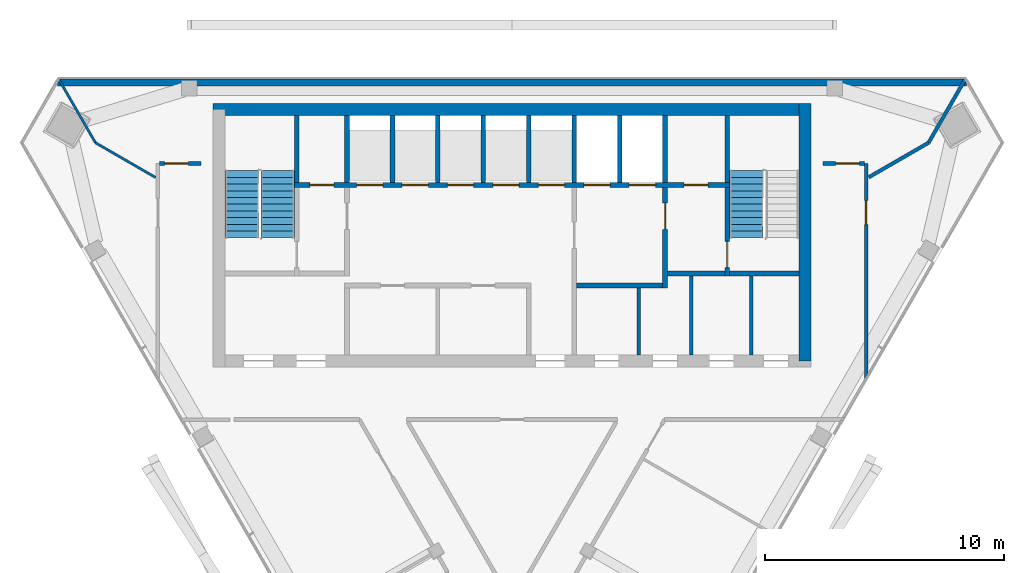
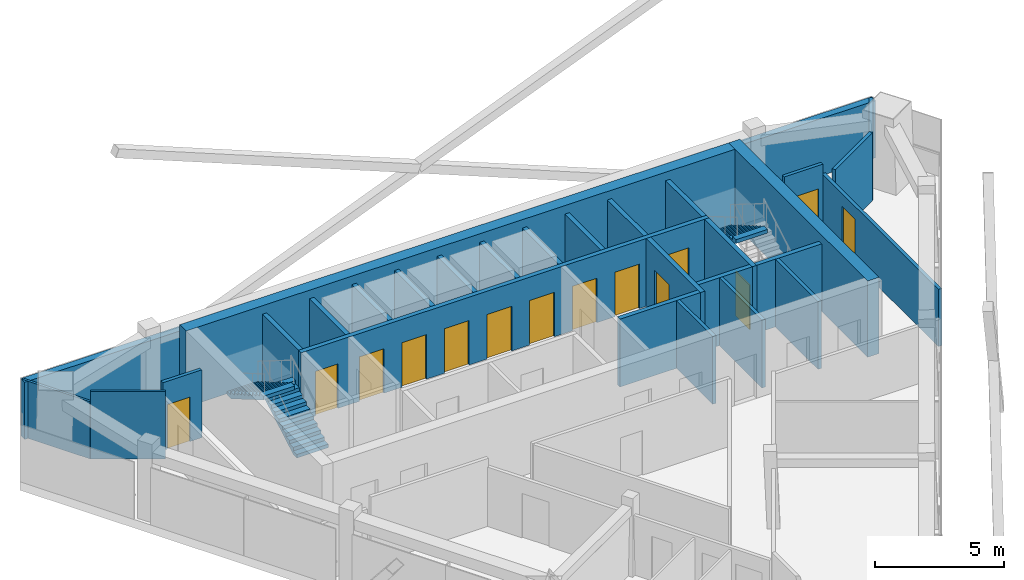
# One storey, part 7 of 10: 29 walls, 14 doors, 3 stair flights, 14 openings, 2 elements without a shape of their own.
"""IFC4 building model written with IfcOpenShell, lengths in metres."""

from ifc_helpers import new_model, si_unit, direction, frame, frame_2d, origin, place, context, subcontext, project, spatial, polyline, rectangle, outline, extrude, material, layer, layer_set, type_object, element, fill, aggregate, save


model = new_model("IFC4")

# Units and contexts
model_context = context("Model", 3, precision=1e-05, world=origin(), true_north=direction((0.0, 1.0)))
body_context = subcontext(model_context, "Body", "Model", "MODEL_VIEW")
ifc_project = project(units=[si_unit("LENGTHUNIT", "METRE"), si_unit("AREAUNIT", "SQUARE_METRE"), si_unit("VOLUMEUNIT", "CUBIC_METRE"), si_unit("PLANEANGLEUNIT", "RADIAN"), si_unit("MASSUNIT", "GRAM", prefix="KILO")], contexts=[model_context])

# Site, building, storey
site_placement = place(None, origin())
site = spatial("IfcSite", under=ifc_project, at=site_placement, CompositionType="ELEMENT")
building_placement = place(site_placement, origin())
building = spatial("IfcBuilding", under=site, at=building_placement, Name="Altiplano Prism Tower", CompositionType="ELEMENT")
storey_placement = place(building_placement, frame((0.0, 0.0, 347.199951171875)))
storey = spatial("IfcBuildingStorey", under=building, at=storey_placement, Name="L90", CompositionType="ELEMENT", Elevation=347.199951171875)

# Walls
ifc_material_1 = material(Name="Concrete C60/75", Category="concrete")
ifc_layer_1 = layer(ifc_material_1, 0.5)
ifc_layer_set_1 = layer_set([ifc_layer_1], Name="Concrete C60/75")
wall_type_1 = type_object("IfcWallType", Name="Core wall 500", PredefinedType="SHEAR", material=ifc_layer_set_1)
wall_1_placement = place(storey_placement, frame((97.25, 93.14990234375, 0.0), z_axis=(0.0, 0.0, 1.0), x_axis=(0.0, 1.0, 0.0)))
element("IfcWall", 1, at=wall_1_placement, inside=storey, type_object=wall_type_1, Name="Core wall E L90", PredefinedType="SHEAR", context=body_context, shape_type="SweptSolid", body=[
    extrude(rectangle(XDim=10.75, YDim=0.5, at=frame_2d((5.375, 0.0))), origin(), (0.0, 0.0, 1.0), 3.60009765625),
])
wall_2_placement = place(storey_placement, frame((97.25, 103.64990234375, 0.0), z_axis=(0.0, 0.0, 1.0), x_axis=(-1.0, 0.0, 0.0)))
element("IfcWall", 2, at=wall_2_placement, inside=storey, type_object=wall_type_1, Name="Core wall N L90", PredefinedType="SHEAR", context=body_context, shape_type="SweptSolid", body=[
    extrude(rectangle(XDim=24.75, YDim=0.5, at=frame_2d((12.375, 0.0))), origin(), (0.0, 0.0, 1.0), 3.60009765625),
])
ifc_material_2 = material(Name="Plasterboard on steel stud", Category="steel")
ifc_layer_2 = layer(ifc_material_2, 0.10009765625)
ifc_layer_set_2 = layer_set([ifc_layer_2], Name="Plasterboard on steel stud")
wall_type_2 = type_object("IfcWallType", Name="Partition 100 wet", PredefinedType="PARTITIONING", material=ifc_layer_set_2)
wall_3_placement = place(storey_placement, frame((70.099609375, 100.81787109375, 0.0), z_axis=(0.0, 0.0, 1.0), x_axis=(-0.866007607235, 0.500030823262, 0.0)))
element("IfcWall", 3, at=wall_3_placement, inside=storey, type_object=wall_type_2, Name="Partition P03 L90 013", PredefinedType="PARTITIONING", context=body_context, shape_type="SweptSolid", body=[
    extrude(rectangle(XDim=2.901123046875, YDim=0.10009765625, at=frame_2d((1.45068359375, 0.0))), origin(), (0.0, 0.0, 1.0), 3.199951171875),
])
wall_4_placement = place(storey_placement, frame((67.587158203125, 102.2685546875, 0.0), z_axis=(0.0, 0.0, 1.0), x_axis=(-0.500019211527, 0.86601431172, 0.0)))
element("IfcWall", 4, at=wall_4_placement, inside=storey, type_object=wall_type_2, Name="Partition P03 L90 014", PredefinedType="PARTITIONING", context=body_context, shape_type="SweptSolid", body=[
    extrude(rectangle(XDim=3.03857421875, YDim=0.10009765625, at=frame_2d((1.519287109375, 0.0))), origin(), (0.0, 0.0, 1.0), 2.699951171875),
])

# Wall, opening, door
ifc_layer_3 = layer(ifc_material_2, 0.14990234375)
ifc_layer_set_3 = layer_set([ifc_layer_3], Name="Plasterboard on steel stud")
wall_type_3 = type_object("IfcWallType", Name="Partition 150 corridor", PredefinedType="PARTITIONING", material=ifc_layer_set_3)
wall_5_placement = place(storey_placement, frame((99.800048828125, 92.408203125, 0.0), z_axis=(0.0, 0.0, 1.0), x_axis=(2.714883e-05, 0.999999999631, 0.0)))
wall_5 = element("IfcWall", 5, at=wall_5_placement, inside=storey, type_object=wall_type_3, Name="Partition P06 L90 007", PredefinedType="PARTITIONING", context=body_context, shape_type="SweptSolid", body=[
    extrude(rectangle(XDim=8.99267578125, YDim=0.14990234375, at=frame_2d((4.496337890625, 0.0))), origin(), (0.0, 0.0, 1.0), 2.699951171875),
])
opening_1_placement = place(wall_5_placement, frame((6.43896484375, 0.0, 0.0)))
opening_1 = element("IfcOpeningElement", 6, at=opening_1_placement, cuts=wall_5, Name="Opening D2527", PredefinedType="OPENING", context=body_context, shape_type="SweptSolid", body=[
    extrude(rectangle(XDim=1.0, YDim=2.10009765625, at=frame_2d((0.5, 1.050048828125))), frame((0.0, 0.08544921875, 0.0), z_axis=(0.0, -1.0, 0.0), x_axis=(1.0, 0.0, 0.0)), (0.0, 0.0, 1.0), 0.1708984375),
])
ifc_material_3 = material(Name="Timber", Category="wood")
door_type_1 = type_object("IfcDoorType", Name="Room door 1000 x 2100", OperationType="NOTDEFINED", PredefinedType="NOTDEFINED", material=ifc_material_3)
door_1_placement = place(opening_1_placement, origin())
door_1 = element("IfcDoor", 7, at=door_1_placement, inside=storey, type_object=door_type_1, Name="Door D2527", OperationType="SINGLE_SWING_LEFT", OverallHeight=2.10009765625, OverallWidth=1.0, PredefinedType="NOTDEFINED", context=body_context, shape_type="SweptSolid", body=[
    extrude(rectangle(XDim=1.0, YDim=2.10009765625, at=frame_2d((0.5, 1.050048828125))), frame((0.0, 0.02490234375, 0.0), z_axis=(0.0, -1.0, 0.0), x_axis=(1.0, 0.0, 0.0)), (0.0, 0.0, 1.0), 0.050048828125),
])
fill(opening_1, door_1)

wall_6_placement = place(storey_placement, frame((99.725341796875, 101.40087890625, 0.0), z_axis=(0.0, 0.0, 1.0), x_axis=(-1.0, 0.0, 0.0)))
wall_6 = element("IfcWall", 8, at=wall_6_placement, inside=storey, type_object=wall_type_3, Name="Partition P06 L90 011", PredefinedType="PARTITIONING", context=body_context, shape_type="SweptSolid", body=[
    extrude(rectangle(XDim=1.725341796875, YDim=0.14990234375, at=frame_2d((0.86279296875, 0.0))), origin(), (0.0, 0.0, 1.0), 3.199951171875),
])
opening_2_placement = place(wall_6_placement, frame((0.199951171875, 0.0, 0.0)))
opening_2 = element("IfcOpeningElement", 9, at=opening_2_placement, cuts=wall_6, Name="Opening D2529", PredefinedType="OPENING", context=body_context, shape_type="SweptSolid", body=[
    extrude(rectangle(XDim=1.0, YDim=2.10009765625, at=frame_2d((0.5, 1.050048828125))), frame((0.0, 0.08544921875, 0.0), z_axis=(0.0, -1.0, 0.0), x_axis=(1.0, 0.0, 0.0)), (0.0, 0.0, 1.0), 0.1708984375),
])
door_type_2 = type_object("IfcDoorType", Name="Store door 1000 x 2100", OperationType="NOTDEFINED", PredefinedType="NOTDEFINED", material=ifc_material_3)
door_2_placement = place(opening_2_placement, origin())
door_2 = element("IfcDoor", 10, at=door_2_placement, inside=storey, type_object=door_type_2, Name="Door D2529", OperationType="SINGLE_SWING_LEFT", OverallHeight=2.10009765625, OverallWidth=1.0, PredefinedType="NOTDEFINED", context=body_context, shape_type="SweptSolid", body=[
    extrude(rectangle(XDim=1.0, YDim=2.10009765625, at=frame_2d((0.5, 1.050048828125))), frame((0.0, 0.02490234375, 0.0), z_axis=(0.0, -1.0, 0.0), x_axis=(1.0, 0.0, 0.0)), (0.0, 0.0, 1.0), 0.050048828125),
])
fill(opening_2, door_2)

wall_7_placement = place(storey_placement, frame((72.0, 101.40087890625, 0.0), z_axis=(0.0, 0.0, 1.0), x_axis=(-1.0, 0.0, 0.0)))
wall_7 = element("IfcWall", 11, at=wall_7_placement, inside=storey, type_object=wall_type_3, Name="Partition P06 L90 012", PredefinedType="PARTITIONING", context=body_context, shape_type="SweptSolid", body=[
    extrude(rectangle(XDim=1.725341796875, YDim=0.14990234375, at=frame_2d((0.86279296875, 0.0))), origin(), (0.0, 0.0, 1.0), 3.199951171875),
])
opening_3_placement = place(wall_7_placement, frame((0.52490234375, 0.0, 0.0)))
opening_3 = element("IfcOpeningElement", 12, at=opening_3_placement, cuts=wall_7, Name="Opening D2530", PredefinedType="OPENING", context=body_context, shape_type="SweptSolid", body=[
    extrude(rectangle(XDim=1.0, YDim=2.10009765625, at=frame_2d((0.5, 1.050048828125))), frame((0.0, 0.08544921875, 0.0), z_axis=(0.0, -1.0, 0.0), x_axis=(1.0, 0.0, 0.0)), (0.0, 0.0, 1.0), 0.1708984375),
])
door_3_placement = place(opening_3_placement, origin())
door_3 = element("IfcDoor", 13, at=door_3_placement, inside=storey, type_object=door_type_1, Name="Door D2530", OperationType="SINGLE_SWING_RIGHT", OverallHeight=2.10009765625, OverallWidth=1.0, PredefinedType="NOTDEFINED", context=body_context, shape_type="SweptSolid", body=[
    extrude(rectangle(XDim=1.0, YDim=2.10009765625, at=frame_2d((0.5, 1.050048828125))), frame((0.0, 0.02490234375, 0.0), z_axis=(0.0, -1.0, 0.0), x_axis=(1.0, 0.0, 0.0)), (0.0, 0.0, 1.0), 0.050048828125),
])
fill(opening_3, door_3)

# Walls
ifc_layer_4 = layer(ifc_material_2, 0.14990234375)
ifc_layer_set_4 = layer_set([ifc_layer_4], Name="Plasterboard on steel stud")
wall_type_4 = type_object("IfcWallType", Name="Partition 150 party", PredefinedType="PARTITIONING", material=ifc_layer_set_4)
wall_8_placement = place(storey_placement, frame((103.93212890625, 104.89990234375, 0.0), z_axis=(0.0, 0.0, 1.0), x_axis=(-0.500019211527, -0.86601431172, 0.0)))
element("IfcWall", 14, at=wall_8_placement, inside=storey, type_object=wall_type_4, Name="Partition P01 L90 021", PredefinedType="PARTITIONING", context=body_context, shape_type="SweptSolid", body=[
    extrude(rectangle(XDim=3.03857421875, YDim=0.14990234375, at=frame_2d((1.519287109375, 0.0))), origin(), (0.0, 0.0, 1.0), 2.699951171875),
])
wall_9_placement = place(storey_placement, frame((102.412841796875, 102.2685546875, 0.0), z_axis=(0.0, 0.0, 1.0), x_axis=(-0.866027848477, -0.499995765644, 0.0)))
element("IfcWall", 15, at=wall_9_placement, inside=storey, type_object=wall_type_4, Name="Partition P01 L90 022", PredefinedType="PARTITIONING", context=body_context, shape_type="SweptSolid", body=[
    extrude(rectangle(XDim=2.88671875, YDim=0.14990234375, at=frame_2d((1.443359375, 0.0))), origin(), (0.0, 0.0, 1.0), 3.199951171875),
])
ifc_material_4 = material(Name="Fire-rated gypsum board partition")
ifc_layer_5 = layer(ifc_material_4, 0.14990234375)
ifc_layer_set_5 = layer_set([ifc_layer_5], Name="Fire-rated gypsum board partition")
wall_type_5 = type_object("IfcWallType", Name="Room partition 150", PredefinedType="PARTITIONING", material=ifc_layer_set_5)
wall_10_placement = place(storey_placement, frame((90.300048828125, 93.39990234375, 0.0), z_axis=(0.0, 0.0, 1.0), x_axis=(0.0, 1.0, 0.0)))
element("IfcWall", 16, at=wall_10_placement, inside=storey, type_object=wall_type_5, Name="Room partition L90", PredefinedType="PARTITIONING", context=body_context, shape_type="SweptSolid", body=[
    extrude(rectangle(XDim=2.800048828125, YDim=0.14990234375, at=frame_2d((1.39990234375, 0.0))), origin(), (0.0, 0.0, 1.0), 3.199951171875),
])
for number, where, z_axis, x_axis, name in (
    (17, (92.5, 93.39990234375, 0.0), (0.0, 0.0, 1.0), (0.0, 1.0, 0.0), "Room partition L90"),
    (18, (95.0, 93.39990234375, 0.0), (0.0, 0.0, 1.0), (0.0, 1.0, 0.0), "Room partition L90"),
):
    element("IfcWall", number, at=place(storey_placement, frame(where, z_axis=z_axis, x_axis=x_axis)), inside=storey, type_object=wall_type_5, Name=name, PredefinedType="PARTITIONING", context=body_context, shape_type="SweptSolid", body=[
        extrude(rectangle(XDim=3.300048828125, YDim=0.14990234375, at=frame_2d((1.64990234375, 0.0))), origin(), (0.0, 0.0, 1.0), 3.199951171875),
    ])
ifc_layer_6 = layer(ifc_material_1, 0.199951171875)
ifc_layer_set_6 = layer_set([ifc_layer_6], Name="Concrete C60/75")
wall_type_6 = type_object("IfcWallType", Name="Shaft wall 200", PredefinedType="SOLIDWALL", material=ifc_layer_set_6)
for number, where, z_axis, x_axis, name in (
    (19, (78.10009765625, 100.60009765625, 0.0), (0.0, 0.0, 1.0), (0.0, 1.0, 0.0), "Shaft wall L90"),
    (20, (80.0, 100.60009765625, 0.0), (0.0, 0.0, 1.0), (0.0, 1.0, 0.0), "Shaft wall L90"),
    (21, (81.89990234375, 100.60009765625, 0.0), (0.0, 0.0, 1.0), (0.0, 1.0, 0.0), "Shaft wall L90"),
    (22, (83.800048828125, 100.60009765625, 0.0), (0.0, 0.0, 1.0), (0.0, 1.0, 0.0), "Shaft wall L90"),
    (23, (85.699951171875, 100.60009765625, 0.0), (0.0, 0.0, 1.0), (0.0, 1.0, 0.0), "Shaft wall L90"),
    (24, (87.60009765625, 100.60009765625, 0.0), (0.0, 0.0, 1.0), (0.0, 1.0, 0.0), "Shaft wall L90"),
    (25, (89.5, 100.60009765625, 0.0), (0.0, 0.0, 1.0), (0.0, 1.0, 0.0), "Shaft wall L90"),
    (26, (91.39990234375, 100.60009765625, 0.0), (0.0, 0.0, 1.0), (0.0, 1.0, 0.0), "Shaft wall L90"),
):
    element("IfcWall", number, at=place(storey_placement, frame(where, z_axis=z_axis, x_axis=x_axis)), inside=storey, type_object=wall_type_6, Name=name, PredefinedType="SOLIDWALL", context=body_context, shape_type="SweptSolid", body=[
        extrude(rectangle(XDim=2.7998046875, YDim=0.199951171875, at=frame_2d((1.39990234375, 0.0))), origin(), (0.0, 0.0, 1.0), 3.199951171875),
    ])

# Wall, opening, door
ifc_layer_7 = layer(ifc_material_1, 0.199951171875)
ifc_layer_set_7 = layer_set([ifc_layer_7], Name="Concrete C60/75")
wall_type_7 = type_object("IfcWallType", Name="Stair wall 200", PredefinedType="SOLIDWALL", material=ifc_layer_set_7)
wall_11_placement = place(storey_placement, frame((94.0, 96.699951171875, 0.0), z_axis=(0.0, 0.0, 1.0), x_axis=(0.0, 1.0, 0.0)))
wall_11 = element("IfcWall", 27, at=wall_11_placement, inside=storey, type_object=wall_type_7, Name="Stair wall L90", PredefinedType="SOLIDWALL", context=body_context, shape_type="SweptSolid", body=[
    extrude(rectangle(XDim=3.699951171875, YDim=0.199951171875, at=frame_2d((1.85009765625, 0.0))), origin(), (0.0, 0.0, 1.0), 3.199951171875),
])
opening_4_placement = place(wall_11_placement, frame((0.35009765625, 0.0, 0.0)))
opening_4 = element("IfcOpeningElement", 28, at=opening_4_placement, cuts=wall_11, Name="Opening D3862", PredefinedType="OPENING", context=body_context, shape_type="SweptSolid", body=[
    extrude(rectangle(XDim=1.10009765625, YDim=2.10009765625, at=frame_2d((0.550048828125, 1.050048828125))), frame((0.0, 0.1103515625, 0.0), z_axis=(0.0, -1.0, 0.0), x_axis=(1.0, 0.0, 0.0)), (0.0, 0.0, 1.0), 0.220947265625),
])
ifc_material_5 = material(Name="Fire-rated steel door", Category="steel")
door_type_3 = type_object("IfcDoorType", Name="Stair fire door 1100 x 2100", OperationType="NOTDEFINED", PredefinedType="NOTDEFINED", material=ifc_material_5)
door_4_placement = place(opening_4_placement, origin())
door_4 = element("IfcDoor", 29, at=door_4_placement, inside=storey, type_object=door_type_3, Name="Stair fire door D3862", OperationType="SINGLE_SWING_LEFT", OverallHeight=2.10009765625, OverallWidth=1.10009765625, PredefinedType="NOTDEFINED", context=body_context, shape_type="SweptSolid", body=[
    extrude(rectangle(XDim=1.10009765625, YDim=2.10009765625, at=frame_2d((0.550048828125, 1.050048828125))), frame((0.0, 0.02490234375, 0.0), z_axis=(0.0, -1.0, 0.0), x_axis=(1.0, 0.0, 0.0)), (0.0, 0.0, 1.0), 0.050048828125),
])
fill(opening_4, door_4)

# Wall
wall_12_placement = place(storey_placement, frame((94.10009765625, 96.800048828125, 0.0), z_axis=(0.0, 0.0, 1.0), x_axis=(1.0, 0.0, 0.0)))
element("IfcWall", 30, at=wall_12_placement, inside=storey, type_object=wall_type_7, Name="Stair wall L90", PredefinedType="SOLIDWALL", context=body_context, shape_type="SweptSolid", body=[
    extrude(rectangle(XDim=2.89990234375, YDim=0.199951171875, at=frame_2d((1.449951171875, 0.0))), origin(), (0.0, 0.0, 1.0), 3.199951171875),
])

# Wall, openings, doors
wall_13_placement = place(storey_placement, frame((75.89990234375, 100.5, 0.0), z_axis=(0.0, 0.0, 1.0), x_axis=(1.0, 0.0, 0.0)))
wall_13 = element("IfcWall", 31, at=wall_13_placement, inside=storey, type_object=wall_type_7, Name="Stair wall L90", PredefinedType="SOLIDWALL", context=body_context, shape_type="SweptSolid", body=[
    extrude(rectangle(XDim=18.2001953125, YDim=0.199951171875, at=frame_2d((9.10009765625, 0.0))), origin(), (0.0, 0.0, 1.0), 3.199951171875),
])
opening_5_placement = place(wall_13_placement, frame((2.60009765625, 0.0, 0.0)))
opening_5 = element("IfcOpeningElement", 32, at=opening_5_placement, cuts=wall_13, Name="Opening LD-HL1-L90", PredefinedType="OPENING", context=body_context, shape_type="SweptSolid", body=[
    extrude(rectangle(XDim=1.10009765625, YDim=2.10009765625, at=frame_2d((0.550048828125, 1.050048828125))), frame((0.0, 0.1103515625, 0.0), z_axis=(0.0, -1.0, 0.0), x_axis=(1.0, 0.0, 0.0)), (0.0, 0.0, 1.0), 0.220947265625),
])
opening_6_placement = place(wall_13_placement, frame((4.5, 0.0, 0.0)))
opening_6 = element("IfcOpeningElement", 33, at=opening_6_placement, cuts=wall_13, Name="Opening LD-HL2-L90", PredefinedType="OPENING", context=body_context, shape_type="SweptSolid", body=[
    extrude(rectangle(XDim=1.10009765625, YDim=2.10009765625, at=frame_2d((0.550048828125, 1.050048828125))), frame((0.0, 0.1103515625, 0.0), z_axis=(0.0, -1.0, 0.0), x_axis=(1.0, 0.0, 0.0)), (0.0, 0.0, 1.0), 0.220947265625),
])
opening_7_placement = place(wall_13_placement, frame((6.39990234375, 0.0, 0.0)))
opening_7 = element("IfcOpeningElement", 34, at=opening_7_placement, cuts=wall_13, Name="Opening LD-HL3-L90", PredefinedType="OPENING", context=body_context, shape_type="SweptSolid", body=[
    extrude(rectangle(XDim=1.10009765625, YDim=2.10009765625, at=frame_2d((0.550048828125, 1.050048828125))), frame((0.0, 0.1103515625, 0.0), z_axis=(0.0, -1.0, 0.0), x_axis=(1.0, 0.0, 0.0)), (0.0, 0.0, 1.0), 0.220947265625),
])
opening_8_placement = place(wall_13_placement, frame((8.300048828125, 0.0, 0.0)))
opening_8 = element("IfcOpeningElement", 35, at=opening_8_placement, cuts=wall_13, Name="Opening LD-HL4-L90", PredefinedType="OPENING", context=body_context, shape_type="SweptSolid", body=[
    extrude(rectangle(XDim=1.10009765625, YDim=2.10009765625, at=frame_2d((0.550048828125, 1.050048828125))), frame((0.0, 0.1103515625, 0.0), z_axis=(0.0, -1.0, 0.0), x_axis=(1.0, 0.0, 0.0)), (0.0, 0.0, 1.0), 0.220947265625),
])
opening_9_placement = place(wall_13_placement, frame((10.199951171875, 0.0, 0.0)))
opening_9 = element("IfcOpeningElement", 36, at=opening_9_placement, cuts=wall_13, Name="Opening LD-HL5-L90", PredefinedType="OPENING", context=body_context, shape_type="SweptSolid", body=[
    extrude(rectangle(XDim=1.10009765625, YDim=2.10009765625, at=frame_2d((0.550048828125, 1.050048828125))), frame((0.0, 0.1103515625, 0.0), z_axis=(0.0, -1.0, 0.0), x_axis=(1.0, 0.0, 0.0)), (0.0, 0.0, 1.0), 0.220947265625),
])
opening_10_placement = place(wall_13_placement, frame((12.10009765625, 0.0, 0.0)))
opening_10 = element("IfcOpeningElement", 37, at=opening_10_placement, cuts=wall_13, Name="Opening LD-FF1-L90", PredefinedType="OPENING", context=body_context, shape_type="SweptSolid", body=[
    extrude(rectangle(XDim=1.10009765625, YDim=2.10009765625, at=frame_2d((0.550048828125, 1.050048828125))), frame((0.0, 0.1103515625, 0.0), z_axis=(0.0, -1.0, 0.0), x_axis=(1.0, 0.0, 0.0)), (0.0, 0.0, 1.0), 0.220947265625),
])
opening_11_placement = place(wall_13_placement, frame((14.0, 0.0, 0.0)))
opening_11 = element("IfcOpeningElement", 38, at=opening_11_placement, cuts=wall_13, Name="Opening LD-FF2-L90", PredefinedType="OPENING", context=body_context, shape_type="SweptSolid", body=[
    extrude(rectangle(XDim=1.10009765625, YDim=2.10009765625, at=frame_2d((0.550048828125, 1.050048828125))), frame((0.0, 0.1103515625, 0.0), z_axis=(0.0, -1.0, 0.0), x_axis=(1.0, 0.0, 0.0)), (0.0, 0.0, 1.0), 0.220947265625),
])
opening_12_placement = place(wall_13_placement, frame((0.64990234375, 0.0, 0.0)))
opening_12 = element("IfcOpeningElement", 39, at=opening_12_placement, cuts=wall_13, Name="Opening D3869", PredefinedType="OPENING", context=body_context, shape_type="SweptSolid", body=[
    extrude(rectangle(XDim=1.0, YDim=2.10009765625, at=frame_2d((0.5, 1.050048828125))), frame((0.0, 0.1103515625, 0.0), z_axis=(0.0, -1.0, 0.0), x_axis=(1.0, 0.0, 0.0)), (0.0, 0.0, 1.0), 0.220947265625),
])
opening_13_placement = place(wall_13_placement, frame((16.300048828125, 0.0, 0.0)))
opening_13 = element("IfcOpeningElement", 40, at=opening_13_placement, cuts=wall_13, Name="Opening D3870", PredefinedType="OPENING", context=body_context, shape_type="SweptSolid", body=[
    extrude(rectangle(XDim=1.0, YDim=2.10009765625, at=frame_2d((0.5, 1.050048828125))), frame((0.0, 0.1103515625, 0.0), z_axis=(0.0, -1.0, 0.0), x_axis=(1.0, 0.0, 0.0)), (0.0, 0.0, 1.0), 0.220947265625),
])
door_type_4 = type_object("IfcDoorType", Name="Core room door 1000 x 2100", OperationType="NOTDEFINED", PredefinedType="NOTDEFINED", material=ifc_material_5)
door_5_placement = place(opening_12_placement, origin())
door_5 = element("IfcDoor", 41, at=door_5_placement, inside=storey, type_object=door_type_4, Name="Core room door D3869", OperationType="SINGLE_SWING_LEFT", OverallHeight=2.10009765625, OverallWidth=1.0, PredefinedType="NOTDEFINED", context=body_context, shape_type="SweptSolid", body=[
    extrude(rectangle(XDim=1.0, YDim=2.10009765625, at=frame_2d((0.5, 1.050048828125))), frame((0.0, 0.02490234375, 0.0), z_axis=(0.0, -1.0, 0.0), x_axis=(1.0, 0.0, 0.0)), (0.0, 0.0, 1.0), 0.050048828125),
])
fill(opening_12, door_5)
door_6_placement = place(opening_13_placement, origin())
door_6 = element("IfcDoor", 42, at=door_6_placement, inside=storey, type_object=door_type_4, Name="Core room door D3870", OperationType="SINGLE_SWING_RIGHT", OverallHeight=2.10009765625, OverallWidth=1.0, PredefinedType="NOTDEFINED", context=body_context, shape_type="SweptSolid", body=[
    extrude(rectangle(XDim=1.0, YDim=2.10009765625, at=frame_2d((0.5, 1.050048828125))), frame((0.0, 0.02490234375, 0.0), z_axis=(0.0, -1.0, 0.0), x_axis=(1.0, 0.0, 0.0)), (0.0, 0.0, 1.0), 0.050048828125),
])
fill(opening_13, door_6)
ifc_material_6 = material(Name="Stainless steel landing door", Category="steel")
door_type_5 = type_object("IfcDoorType", Name="Landing door 1100 x 2100", OperationType="NOTDEFINED", PredefinedType="NOTDEFINED", material=ifc_material_6)
door_7_placement = place(opening_5_placement, origin())
door_7 = element("IfcDoor", 43, at=door_7_placement, inside=storey, type_object=door_type_5, Name="Landing doors HL1", OperationType="SLIDING_TO_RIGHT", OverallHeight=2.10009765625, OverallWidth=1.10009765625, PredefinedType="NOTDEFINED", context=body_context, shape_type="SweptSolid", body=[
    extrude(rectangle(XDim=1.10009765625, YDim=2.10009765625, at=frame_2d((0.550048828125, 1.050048828125))), frame((0.0, 0.02490234375, 0.0), z_axis=(0.0, -1.0, 0.0), x_axis=(1.0, 0.0, 0.0)), (0.0, 0.0, 1.0), 0.050048828125),
])
fill(opening_5, door_7)
door_8_placement = place(opening_6_placement, origin())
door_8 = element("IfcDoor", 44, at=door_8_placement, inside=storey, type_object=door_type_5, Name="Landing doors HL2", OperationType="SLIDING_TO_LEFT", OverallHeight=2.10009765625, OverallWidth=1.10009765625, PredefinedType="NOTDEFINED", context=body_context, shape_type="SweptSolid", body=[
    extrude(rectangle(XDim=1.10009765625, YDim=2.10009765625, at=frame_2d((0.550048828125, 1.050048828125))), frame((0.0, 0.02490234375, 0.0), z_axis=(0.0, -1.0, 0.0), x_axis=(1.0, 0.0, 0.0)), (0.0, 0.0, 1.0), 0.050048828125),
])
fill(opening_6, door_8)
door_9_placement = place(opening_7_placement, origin())
door_9 = element("IfcDoor", 45, at=door_9_placement, inside=storey, type_object=door_type_5, Name="Landing doors HL3", OperationType="SLIDING_TO_RIGHT", OverallHeight=2.10009765625, OverallWidth=1.10009765625, PredefinedType="NOTDEFINED", context=body_context, shape_type="SweptSolid", body=[
    extrude(rectangle(XDim=1.10009765625, YDim=2.10009765625, at=frame_2d((0.550048828125, 1.050048828125))), frame((0.0, 0.02490234375, 0.0), z_axis=(0.0, -1.0, 0.0), x_axis=(1.0, 0.0, 0.0)), (0.0, 0.0, 1.0), 0.050048828125),
])
fill(opening_7, door_9)
door_10_placement = place(opening_8_placement, origin())
door_10 = element("IfcDoor", 46, at=door_10_placement, inside=storey, type_object=door_type_5, Name="Landing doors HL4", OperationType="SLIDING_TO_LEFT", OverallHeight=2.10009765625, OverallWidth=1.10009765625, PredefinedType="NOTDEFINED", context=body_context, shape_type="SweptSolid", body=[
    extrude(rectangle(XDim=1.10009765625, YDim=2.10009765625, at=frame_2d((0.550048828125, 1.050048828125))), frame((0.0, 0.02490234375, 0.0), z_axis=(0.0, -1.0, 0.0), x_axis=(1.0, 0.0, 0.0)), (0.0, 0.0, 1.0), 0.050048828125),
])
fill(opening_8, door_10)
door_11_placement = place(opening_9_placement, origin())
door_11 = element("IfcDoor", 47, at=door_11_placement, inside=storey, type_object=door_type_5, Name="Landing doors HL5", OperationType="SLIDING_TO_RIGHT", OverallHeight=2.10009765625, OverallWidth=1.10009765625, PredefinedType="NOTDEFINED", context=body_context, shape_type="SweptSolid", body=[
    extrude(rectangle(XDim=1.10009765625, YDim=2.10009765625, at=frame_2d((0.550048828125, 1.050048828125))), frame((0.0, 0.02490234375, 0.0), z_axis=(0.0, -1.0, 0.0), x_axis=(1.0, 0.0, 0.0)), (0.0, 0.0, 1.0), 0.050048828125),
])
fill(opening_9, door_11)
door_12_placement = place(opening_10_placement, origin())
door_12 = element("IfcDoor", 48, at=door_12_placement, inside=storey, type_object=door_type_5, Name="Landing doors FF1", OperationType="SLIDING_TO_RIGHT", OverallHeight=2.10009765625, OverallWidth=1.10009765625, PredefinedType="NOTDEFINED", context=body_context, shape_type="SweptSolid", body=[
    extrude(rectangle(XDim=1.10009765625, YDim=2.10009765625, at=frame_2d((0.550048828125, 1.050048828125))), frame((0.0, 0.02490234375, 0.0), z_axis=(0.0, -1.0, 0.0), x_axis=(1.0, 0.0, 0.0)), (0.0, 0.0, 1.0), 0.050048828125),
])
fill(opening_10, door_12)
door_13_placement = place(opening_11_placement, origin())
door_13 = element("IfcDoor", 49, at=door_13_placement, inside=storey, type_object=door_type_5, Name="Landing doors FF2", OperationType="SLIDING_TO_LEFT", OverallHeight=2.10009765625, OverallWidth=1.10009765625, PredefinedType="NOTDEFINED", context=body_context, shape_type="SweptSolid", body=[
    extrude(rectangle(XDim=1.10009765625, YDim=2.10009765625, at=frame_2d((0.550048828125, 1.050048828125))), frame((0.0, 0.02490234375, 0.0), z_axis=(0.0, -1.0, 0.0), x_axis=(1.0, 0.0, 0.0)), (0.0, 0.0, 1.0), 0.050048828125),
])
fill(opening_11, door_13)

# Walls
for number, where, z_axis, x_axis, name in (
    (50, (76.0, 100.60009765625, 0.0), (0.0, 0.0, 1.0), (0.0, 1.0, 0.0), "Stair wall L90"),
    (51, (94.0, 100.60009765625, 0.0), (0.0, 0.0, 1.0), (0.0, 1.0, 0.0), "Stair wall L90"),
):
    element("IfcWall", number, at=place(storey_placement, frame(where, z_axis=z_axis, x_axis=x_axis)), inside=storey, type_object=wall_type_7, Name=name, PredefinedType="SOLIDWALL", context=body_context, shape_type="SweptSolid", body=[
        extrude(rectangle(XDim=2.7998046875, YDim=0.199951171875, at=frame_2d((1.39990234375, 0.0))), origin(), (0.0, 0.0, 1.0), 3.199951171875),
    ])
ifc_material_7 = material(Name="Concrete C40", Category="concrete")
ifc_layer_8 = layer(ifc_material_7, 0.300048828125)
ifc_layer_set_8 = layer_set([ifc_layer_8], Name="Concrete C40")
wall_type_8 = type_object("IfcWallType", Name="Stone-clad external wall 300", PredefinedType="SOLIDWALL", material=ifc_layer_set_8)
wall_14_placement = place(storey_placement, frame((66.01025390625, 104.7900390625, 0.0), z_axis=(0.0, 0.0, 1.0), x_axis=(1.0, 0.0, 0.0)))
element("IfcWall", 52, at=wall_14_placement, inside=storey, type_object=wall_type_8, Name="External wall north face L90", PredefinedType="SOLIDWALL", context=body_context, shape_type="SweptSolid", body=[
    extrude(rectangle(XDim=37.9794921875, YDim=0.300048828125, at=frame_2d((18.98974609375, 0.0))), origin(), (0.0, 0.0, 1.0), 2.699951171875),
])
ifc_layer_9 = layer(ifc_material_1, 0.199951171875)
ifc_layer_set_9 = layer_set([ifc_layer_9], Name="Concrete C60/75")
wall_type_9 = type_object("IfcWallType", Name="Vestibule wall 200", PredefinedType="PARTITIONING", material=ifc_layer_set_9)
wall_15_placement = place(storey_placement, frame((87.699951171875, 96.300048828125, 0.0), z_axis=(0.0, 0.0, 1.0), x_axis=(1.0, 0.0, 0.0)))
element("IfcWall", 53, at=wall_15_placement, inside=storey, type_object=wall_type_9, Name="Vestibule wall L90", PredefinedType="PARTITIONING", context=body_context, shape_type="SweptSolid", body=[
    extrude(rectangle(XDim=3.60009765625, YDim=0.199951171875, at=frame_2d((1.800048828125, 0.0))), origin(), (0.0, 0.0, 1.0), 3.199951171875),
])

# Wall, opening, door
wall_16_placement = place(storey_placement, frame((91.39990234375, 96.199951171875, 0.0), z_axis=(0.0, 0.0, 1.0), x_axis=(0.0, 1.0, 0.0)))
wall_16 = element("IfcWall", 54, at=wall_16_placement, inside=storey, type_object=wall_type_9, Name="Vestibule wall L90", PredefinedType="PARTITIONING", context=body_context, shape_type="SweptSolid", body=[
    extrude(rectangle(XDim=4.199951171875, YDim=0.199951171875, at=frame_2d((2.10009765625, 0.0))), origin(), (0.0, 0.0, 1.0), 3.199951171875),
])
opening_14_placement = place(wall_16_placement, frame((2.449951171875, 0.0, 0.0)))
opening_14 = element("IfcOpeningElement", 55, at=opening_14_placement, cuts=wall_16, Name="Opening D3865", PredefinedType="OPENING", context=body_context, shape_type="SweptSolid", body=[
    extrude(rectangle(XDim=1.10009765625, YDim=2.10009765625, at=frame_2d((0.550048828125, 1.050048828125))), frame((0.0, 0.1103515625, 0.0), z_axis=(0.0, -1.0, 0.0), x_axis=(1.0, 0.0, 0.0)), (0.0, 0.0, 1.0), 0.220947265625),
])
door_type_6 = type_object("IfcDoorType", Name="Vestibule fire door 1100 x 2100", OperationType="NOTDEFINED", PredefinedType="NOTDEFINED", material=ifc_material_5)
door_14_placement = place(opening_14_placement, origin())
door_14 = element("IfcDoor", 56, at=door_14_placement, inside=storey, type_object=door_type_6, Name="Vestibule fire door D3865", OperationType="SINGLE_SWING_LEFT", OverallHeight=2.10009765625, OverallWidth=1.10009765625, PredefinedType="NOTDEFINED", context=body_context, shape_type="SweptSolid", body=[
    extrude(rectangle(XDim=1.10009765625, YDim=2.10009765625, at=frame_2d((0.550048828125, 1.050048828125))), frame((0.0, 0.02490234375, 0.0), z_axis=(0.0, -1.0, 0.0), x_axis=(1.0, 0.0, 0.0)), (0.0, 0.0, 1.0), 0.050048828125),
])
fill(opening_14, door_14)

# Wall
wall_17_placement = place(storey_placement, frame((91.5, 96.800048828125, 0.0), z_axis=(0.0, 0.0, 1.0), x_axis=(1.0, 0.0, 0.0)))
element("IfcWall", 57, at=wall_17_placement, inside=storey, type_object=wall_type_9, Name="Vestibule wall L90", PredefinedType="PARTITIONING", context=body_context, shape_type="SweptSolid", body=[
    extrude(rectangle(XDim=2.39990234375, YDim=0.199951171875, at=frame_2d((1.199951171875, 0.0))), origin(), (0.0, 0.0, 1.0), 3.199951171875),
])

# Stair, stair flights
ifc_material_8 = material(Name="Concrete C40/50", Category="concrete")
stair_type = type_object("IfcStairType", Name="Exit stair 1400", PredefinedType="HALF_TURN_STAIR", material=ifc_material_8)
stair_1_placement = place(storey_placement, origin())
stair_1 = element("IfcStair", 58, at=stair_1_placement, inside=storey, type_object=stair_type, Name="L90 Exit Stair 1", PredefinedType="HALF_TURN_STAIR")
stair_flight_type = type_object("IfcStairFlightType", Name="Stair flight concrete 150", PredefinedType="STRAIGHT", material=ifc_material_8)
stair_flight_1_placement = place(storey_placement, frame((75.199951171875, 98.300048828125, 0.0), z_axis=(0.0, 0.0, 1.0), x_axis=(0.0, 1.0, 0.0)))
stair_flight_1 = element("IfcStairFlight", 59, at=stair_flight_1_placement, type_object=stair_flight_type, Name="ST1 flight 1", NumberOfRisers=11, NumberOfTreads=10, PredefinedType="STRAIGHT", RiserHeight=0.163636364, TreadLength=0.28, context=body_context, shape_type="SweptSolid", body=[
    extrude(outline(polyline([(0.0, 0.0), (0.0, 0.16357421875), (0.280029296875, 0.16357421875), (0.280029296875, 0.327392578125), (0.56005859375, 0.327392578125), (0.56005859375, 0.490966796875), (0.840087890625, 0.490966796875), (0.840087890625, 0.654541015625), (1.1201171875, 0.654541015625), (1.1201171875, 0.818115234375), (1.39990234375, 0.818115234375), (1.39990234375, 0.98193359375), (1.679931640625, 0.98193359375), (1.679931640625, 1.1455078125), (1.9599609375, 1.1455078125), (1.9599609375, 1.30908203125), (2.239990234375, 1.30908203125), (2.239990234375, 1.47265625), (2.52001953125, 1.47265625), (2.52001953125, 1.636474609375), (2.800048828125, 1.636474609375), (2.800048828125, 1.800048828125), (2.800048828125, 1.462646484375), (0.297119140625, 0.0), (0.0, 0.0)])), frame((0.0, 0.699951171875, 0.0), z_axis=(0.0, -1.0, 0.0), x_axis=(1.0, 0.0, 0.0)), (0.0, 0.0, 1.0), 1.39990234375),
])
stair_flight_2_placement = place(storey_placement, frame((73.699951171875, 101.10009765625, 1.800048828125), z_axis=(0.0, 0.0, 1.0), x_axis=(0.0, -1.0, 0.0)))
stair_flight_2 = element("IfcStairFlight", 60, at=stair_flight_2_placement, type_object=stair_flight_type, Name="ST1 flight 2", NumberOfRisers=11, NumberOfTreads=10, PredefinedType="STRAIGHT", RiserHeight=0.163636364, TreadLength=0.28, context=body_context, shape_type="SweptSolid", body=[
    extrude(outline(polyline([(0.0, 0.0), (0.0, 0.16357421875), (0.280029296875, 0.16357421875), (0.280029296875, 0.327392578125), (0.56005859375, 0.327392578125), (0.56005859375, 0.490966796875), (0.840087890625, 0.490966796875), (0.840087890625, 0.654541015625), (1.1201171875, 0.654541015625), (1.1201171875, 0.818115234375), (1.39990234375, 0.818115234375), (1.39990234375, 0.98193359375), (1.679931640625, 0.98193359375), (1.679931640625, 1.1455078125), (1.9599609375, 1.1455078125), (1.9599609375, 1.30908203125), (2.239990234375, 1.30908203125), (2.239990234375, 1.47265625), (2.52001953125, 1.47265625), (2.52001953125, 1.636474609375), (2.800048828125, 1.636474609375), (2.800048828125, 1.800048828125), (2.800048828125, 1.462646484375), (0.297119140625, 0.0), (0.0, 0.0)])), frame((0.0, 0.699951171875, 0.0), z_axis=(0.0, -1.0, 0.0), x_axis=(1.0, 0.0, 0.0)), (0.0, 0.0, 1.0), 1.39990234375),
])
aggregate(stair_1, [stair_flight_1, stair_flight_2])

# Stair, stair flight
stair_2_placement = place(storey_placement, origin())
stair_2 = element("IfcStair", 61, at=stair_2_placement, inside=storey, type_object=stair_type, Name="L90 Exit Stair 2", PredefinedType="HALF_TURN_STAIR")
stair_flight_3_placement = place(storey_placement, frame((94.800048828125, 101.10009765625, 1.800048828125), z_axis=(0.0, 0.0, 1.0), x_axis=(0.0, -1.0, 0.0)))
stair_flight_3 = element("IfcStairFlight", 62, at=stair_flight_3_placement, type_object=stair_flight_type, Name="ST2 flight 2", NumberOfRisers=11, NumberOfTreads=10, PredefinedType="STRAIGHT", RiserHeight=0.163636364, TreadLength=0.28, context=body_context, shape_type="SweptSolid", body=[
    extrude(outline(polyline([(0.0, 0.0), (0.0, 0.16357421875), (0.280029296875, 0.16357421875), (0.280029296875, 0.327392578125), (0.56005859375, 0.327392578125), (0.56005859375, 0.490966796875), (0.840087890625, 0.490966796875), (0.840087890625, 0.654541015625), (1.1201171875, 0.654541015625), (1.1201171875, 0.818115234375), (1.39990234375, 0.818115234375), (1.39990234375, 0.98193359375), (1.679931640625, 0.98193359375), (1.679931640625, 1.1455078125), (1.9599609375, 1.1455078125), (1.9599609375, 1.30908203125), (2.239990234375, 1.30908203125), (2.239990234375, 1.47265625), (2.52001953125, 1.47265625), (2.52001953125, 1.636474609375), (2.800048828125, 1.636474609375), (2.800048828125, 1.800048828125), (2.800048828125, 1.462646484375), (0.297119140625, 0.0), (0.0, 0.0)])), frame((0.0, 0.699951171875, 0.0), z_axis=(0.0, -1.0, 0.0), x_axis=(1.0, 0.0, 0.0)), (0.0, 0.0, 1.0), 1.39990234375),
])
aggregate(stair_2, [stair_flight_3])

save(model, "model.ifc")
